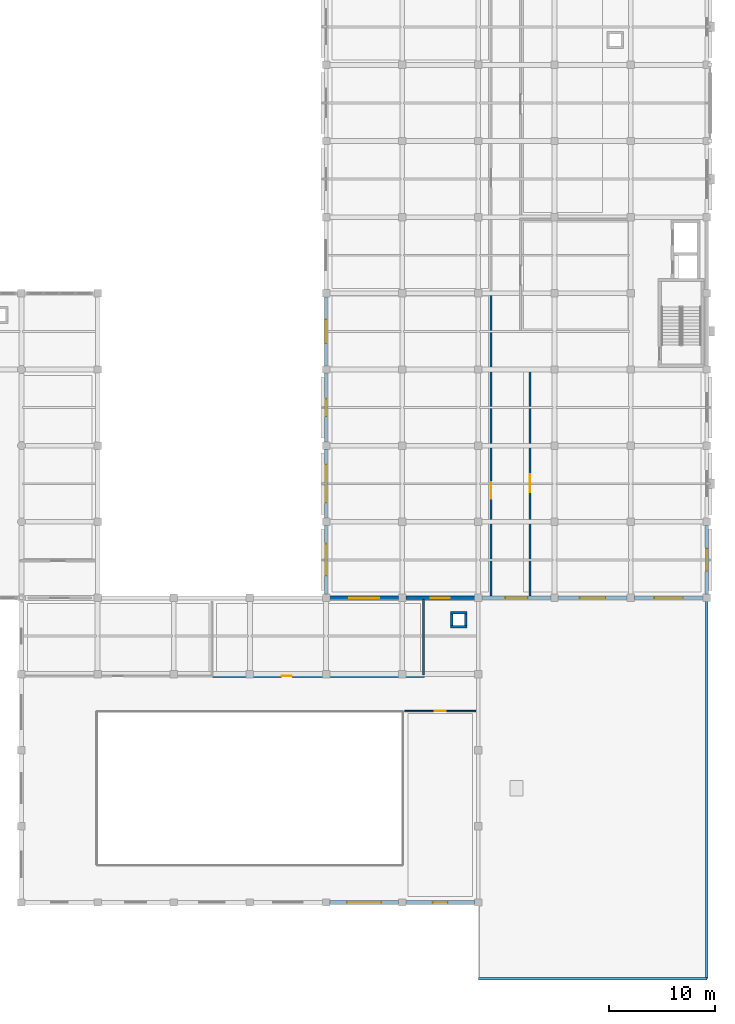
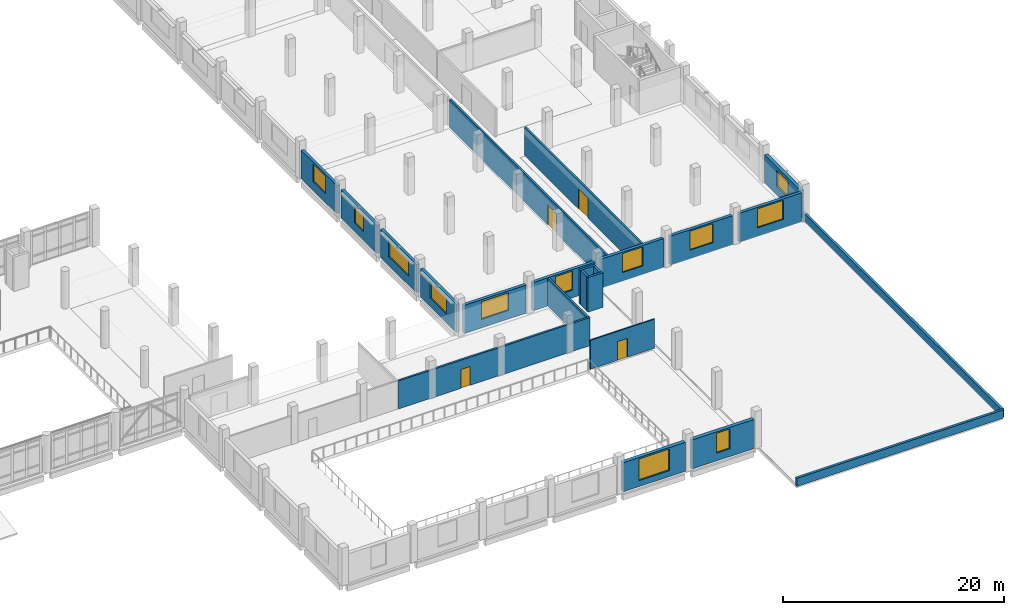
# One storey, part 39 of 57: 23 walls, 12 windows, 4 doors, 16 openings.
"""IFC4 building model written with IfcOpenShell, lengths in metres."""

from ifc_helpers import new_model, si_unit, direction, frame, frame_2d, origin, place, context, subcontext, project, spatial, rectangle, extrude, material, layer, layer_set, type_object, element, fill, save


model = new_model("IFC4")

# Units and contexts
model_context = context("Model", 3, precision=1e-05, world=origin(), true_north=direction((0.0, 1.0)))
body_context = subcontext(model_context, "Body", "Model", "MODEL_VIEW")
ifc_project = project(units=[si_unit("LENGTHUNIT", "METRE"), si_unit("AREAUNIT", "SQUARE_METRE"), si_unit("VOLUMEUNIT", "CUBIC_METRE"), si_unit("PLANEANGLEUNIT", "RADIAN"), si_unit("MASSUNIT", "GRAM", prefix="KILO")], contexts=[model_context])

# Site, building, storey
site_placement = place(None, origin())
site = spatial("IfcSite", under=ifc_project, at=site_placement, CompositionType="ELEMENT")
building_placement = place(site_placement, origin())
building = spatial("IfcBuilding", under=site, at=building_placement, Name="Valkovuoma Quantum and Materials Research Institute", CompositionType="ELEMENT")
storey_placement = place(building_placement, frame((0.0, 0.0, 4.800048828125)))
storey = spatial("IfcBuildingStorey", under=building, at=storey_placement, Name="L01", CompositionType="ELEMENT", Elevation=4.800048828125)

# Wall, opening, window
ifc_material_1 = material(Name="Precast concrete C40/50", Category="concrete")
ifc_layer_1 = layer(ifc_material_1, 0.300048828125)
ifc_layer_set_1 = layer_set([ifc_layer_1], Name="Precast concrete C40/50")
wall_type_1 = type_object("IfcWallType", Name="Wall-W-EXT300", PredefinedType="SOLIDWALL", material=ifc_layer_set_1)
wall_1_placement = place(storey_placement, frame((129.60009765625, 36.340087890625, 0.0), z_axis=(0.0, 0.0, 1.0), x_axis=(0.0, 1.0, 0.0)))
wall_1 = element("IfcWall", 1, at=wall_1_placement, inside=storey, type_object=wall_type_1, Name="L01 exterior wall 0221", PredefinedType="SOLIDWALL", context=body_context, shape_type="SweptSolid", body=[
    extrude(rectangle(XDim=6.52001953125, YDim=0.300048828125, at=frame_2d((3.260009765625, 0.0))), origin(), (0.0, 0.0, 1.0), 3.10986328125),
])
opening_1_placement = place(wall_1_placement, frame((1.760009765625, 0.0, 0.949951171875)))
opening_1 = element("IfcOpeningElement", 2, at=opening_1_placement, cuts=wall_1, Name="Opening WN-WL12", PredefinedType="OPENING", context=body_context, shape_type="SweptSolid", body=[
    extrude(rectangle(XDim=3.0, YDim=1.800048828125, at=frame_2d((1.5, 0.89990234375))), frame((0.0, 0.16015625, 0.0), z_axis=(0.0, -1.0, 0.0), x_axis=(1.0, 0.0, 0.0)), (0.0, 0.0, 1.0), 0.320068359375),
])
ifc_material_2 = material(Name="Triple low-E argon glazing in thermally broken aluminium frame", Category="aluminium")
window_type_1 = type_object("IfcWindowType", Name="Win-WN-WL12", PartitioningType="SINGLE_PANEL", PredefinedType="WINDOW", material=ifc_material_2)
window_1_placement = place(opening_1_placement, origin())
window_1 = element("IfcWindow", 3, at=window_1_placement, inside=storey, type_object=window_type_1, Name="L01 window 0242", OverallHeight=1.800048828125, OverallWidth=3.0, PartitioningType="SINGLE_PANEL", PredefinedType="WINDOW", context=body_context, shape_type="SweptSolid", body=[
    extrude(rectangle(XDim=3.0, YDim=1.800048828125, at=frame_2d((1.5, 0.89990234375))), frame((0.0, 0.030029296875, 0.0), z_axis=(0.0, -1.0, 0.0), x_axis=(1.0, 0.0, 0.0)), (0.0, 0.0, 1.0), 0.06005859375),
])
fill(opening_1, window_1)

wall_2_placement = place(storey_placement, frame((129.60009765625, 43.5400390625, 0.0), z_axis=(0.0, 0.0, 1.0), x_axis=(0.0, 1.0, 0.0)))
wall_2 = element("IfcWall", 4, at=wall_2_placement, inside=storey, type_object=wall_type_1, Name="L01 exterior wall 0222", PredefinedType="SOLIDWALL", context=body_context, shape_type="SweptSolid", body=[
    extrude(rectangle(XDim=6.52001953125, YDim=0.300048828125, at=frame_2d((3.260009765625, 0.0))), origin(), (0.0, 0.0, 1.0), 3.10986328125),
])
opening_2_placement = place(wall_2_placement, frame((1.4599609375, 0.0, 0.949951171875)))
opening_2 = element("IfcOpeningElement", 5, at=opening_2_placement, cuts=wall_2, Name="Opening WN-WL14", PredefinedType="OPENING", context=body_context, shape_type="SweptSolid", body=[
    extrude(rectangle(XDim=3.60009765625, YDim=1.800048828125, at=frame_2d((1.800048828125, 0.89990234375))), frame((0.0, 0.16015625, 0.0), z_axis=(0.0, -1.0, 0.0), x_axis=(1.0, 0.0, 0.0)), (0.0, 0.0, 1.0), 0.320068359375),
])
ifc_material_3 = material(Name="Triple low-E argon glazing in thermally broken aluminium frame", Category="aluminium")
window_type_2 = type_object("IfcWindowType", Name="Win-WN-WL14", PartitioningType="SINGLE_PANEL", PredefinedType="WINDOW", material=ifc_material_3)
window_2_placement = place(opening_2_placement, origin())
window_2 = element("IfcWindow", 6, at=window_2_placement, inside=storey, type_object=window_type_2, Name="L01 window 0243", OverallHeight=1.800048828125, OverallWidth=3.60009765625, PartitioningType="SINGLE_PANEL", PredefinedType="WINDOW", context=body_context, shape_type="SweptSolid", body=[
    extrude(rectangle(XDim=3.60009765625, YDim=1.800048828125, at=frame_2d((1.800048828125, 0.89990234375))), frame((0.0, 0.030029296875, 0.0), z_axis=(0.0, -1.0, 0.0), x_axis=(1.0, 0.0, 0.0)), (0.0, 0.0, 1.0), 0.06005859375),
])
fill(opening_2, window_2)

wall_3_placement = place(storey_placement, frame((129.60009765625, 50.739990234375, 0.0), z_axis=(0.0, 0.0, 1.0), x_axis=(0.0, 1.0, 0.0)))
wall_3 = element("IfcWall", 7, at=wall_3_placement, inside=storey, type_object=wall_type_1, Name="L01 exterior wall 0223", PredefinedType="SOLIDWALL", context=body_context, shape_type="SweptSolid", body=[
    extrude(rectangle(XDim=6.52001953125, YDim=0.300048828125, at=frame_2d((3.260009765625, 0.0))), origin(), (0.0, 0.0, 1.0), 3.10986328125),
])
opening_3_placement = place(wall_3_placement, frame((2.43505859375, 0.0, 0.949951171875)))
opening_3 = element("IfcOpeningElement", 8, at=opening_3_placement, cuts=wall_3, Name="Opening WN-WL16", PredefinedType="OPENING", context=body_context, shape_type="SweptSolid", body=[
    extrude(rectangle(XDim=1.64990234375, YDim=1.949951171875, at=frame_2d((0.824951171875, 0.97509765625))), frame((0.0, 0.16015625, 0.0), z_axis=(0.0, -1.0, 0.0), x_axis=(1.0, 0.0, 0.0)), (0.0, 0.0, 1.0), 0.320068359375),
])
ifc_material_4 = material(Name="Triple low-E argon glazing in thermally broken aluminium frame", Category="aluminium")
window_type_3 = type_object("IfcWindowType", Name="Win-WN-WL16", PartitioningType="SINGLE_PANEL", PredefinedType="WINDOW", material=ifc_material_4)
window_3_placement = place(opening_3_placement, origin())
window_3 = element("IfcWindow", 9, at=window_3_placement, inside=storey, type_object=window_type_3, Name="L01 window 0244", OverallHeight=1.949951171875, OverallWidth=1.64990234375, PartitioningType="SINGLE_PANEL", PredefinedType="WINDOW", context=body_context, shape_type="SweptSolid", body=[
    extrude(rectangle(XDim=1.64990234375, YDim=1.949951171875, at=frame_2d((0.824951171875, 0.97509765625))), frame((0.0, 0.030029296875, 0.0), z_axis=(0.0, -1.0, 0.0), x_axis=(1.0, 0.0, 0.0)), (0.0, 0.0, 1.0), 0.06005859375),
])
fill(opening_3, window_3)

wall_4_placement = place(storey_placement, frame((129.60009765625, 57.93994140625, 0.0), z_axis=(0.0, 0.0, 1.0), x_axis=(0.0, 1.0, 0.0)))
wall_4 = element("IfcWall", 10, at=wall_4_placement, inside=storey, type_object=wall_type_1, Name="L01 exterior wall 0224", PredefinedType="SOLIDWALL", context=body_context, shape_type="SweptSolid", body=[
    extrude(rectangle(XDim=6.52001953125, YDim=0.300048828125, at=frame_2d((3.260009765625, 0.0))), origin(), (0.0, 0.0, 1.0), 3.10986328125),
])
opening_4_placement = place(wall_4_placement, frame((2.135009765625, 0.0, 0.949951171875)))
opening_4 = element("IfcOpeningElement", 11, at=opening_4_placement, cuts=wall_4, Name="Opening WN-WL18", PredefinedType="OPENING", context=body_context, shape_type="SweptSolid", body=[
    extrude(rectangle(XDim=2.25, YDim=1.949951171875, at=frame_2d((1.125, 0.97509765625))), frame((0.0, 0.16015625, 0.0), z_axis=(0.0, -1.0, 0.0), x_axis=(1.0, 0.0, 0.0)), (0.0, 0.0, 1.0), 0.320068359375),
])
ifc_material_5 = material(Name="Triple low-E argon glazing in thermally broken aluminium frame", Category="aluminium")
window_type_4 = type_object("IfcWindowType", Name="Win-WN-WL18", PartitioningType="SINGLE_PANEL", PredefinedType="WINDOW", material=ifc_material_5)
window_4_placement = place(opening_4_placement, origin())
window_4 = element("IfcWindow", 12, at=window_4_placement, inside=storey, type_object=window_type_4, Name="L01 window 0245", OverallHeight=1.949951171875, OverallWidth=2.25, PartitioningType="SINGLE_PANEL", PredefinedType="WINDOW", context=body_context, shape_type="SweptSolid", body=[
    extrude(rectangle(XDim=2.25, YDim=1.949951171875, at=frame_2d((1.125, 0.97509765625))), frame((0.0, 0.030029296875, 0.0), z_axis=(0.0, -1.0, 0.0), x_axis=(1.0, 0.0, 0.0)), (0.0, 0.0, 1.0), 0.06005859375),
])
fill(opening_4, window_4)

ifc_material_6 = material(Name="Precast concrete C40/50", Category="concrete")
ifc_layer_2 = layer(ifc_material_6, 0.320068359375)
ifc_layer_set_2 = layer_set([ifc_layer_2], Name="Precast concrete C40/50")
wall_type_2 = type_object("IfcWallType", Name="Wall-W-EXT320", PredefinedType="SOLIDWALL", material=ifc_layer_set_2)
wall_5_placement = place(storey_placement, frame((129.93994140625, 36.0, 0.0), z_axis=(0.0, 0.0, 1.0), x_axis=(1.0, 0.0, 0.0)))
wall_5 = element("IfcWall", 13, at=wall_5_placement, inside=storey, type_object=wall_type_2, Name="L01 exterior wall 0232", PredefinedType="SOLIDWALL", context=body_context, shape_type="SweptSolid", body=[
    extrude(rectangle(XDim=6.52001953125, YDim=0.320068359375, at=frame_2d((3.260009765625, 0.0))), origin(), (0.0, 0.0, 1.0), 3.10986328125),
])
opening_5_placement = place(wall_5_placement, frame((1.8349609375, 0.0, 0.949951171875)))
opening_5 = element("IfcOpeningElement", 14, at=opening_5_placement, cuts=wall_5, Name="Opening WN-WL20", PredefinedType="OPENING", context=body_context, shape_type="SweptSolid", body=[
    extrude(rectangle(XDim=2.85009765625, YDim=1.949951171875, at=frame_2d((1.425048828125, 0.97509765625))), frame((0.0, 0.169921875, 0.0), z_axis=(0.0, -1.0, 0.0), x_axis=(1.0, 0.0, 0.0)), (0.0, 0.0, 1.0), 0.340087890625),
])
ifc_material_7 = material(Name="Triple low-E argon glazing in thermally broken aluminium frame", Category="aluminium")
window_type_5 = type_object("IfcWindowType", Name="Win-WN-WL20", PartitioningType="SINGLE_PANEL", PredefinedType="WINDOW", material=ifc_material_7)
window_5_placement = place(opening_5_placement, origin())
window_5 = element("IfcWindow", 15, at=window_5_placement, inside=storey, type_object=window_type_5, Name="L01 window 0253", OverallHeight=1.949951171875, OverallWidth=2.85009765625, PartitioningType="SINGLE_PANEL", PredefinedType="WINDOW", context=body_context, shape_type="SweptSolid", body=[
    extrude(rectangle(XDim=2.85009765625, YDim=1.949951171875, at=frame_2d((1.425048828125, 0.97509765625))), frame((0.0, 0.030029296875, 0.0), z_axis=(0.0, -1.0, 0.0), x_axis=(1.0, 0.0, 0.0)), (0.0, 0.0, 1.0), 0.06005859375),
])
fill(opening_5, window_5)

wall_6_placement = place(storey_placement, frame((137.139892578125, 36.0, 0.0), z_axis=(0.0, 0.0, 1.0), x_axis=(1.0, 0.0, 0.0)))
wall_6 = element("IfcWall", 16, at=wall_6_placement, inside=storey, type_object=wall_type_2, Name="L01 exterior wall 0233", PredefinedType="SOLIDWALL", context=body_context, shape_type="SweptSolid", body=[
    extrude(rectangle(XDim=6.52001953125, YDim=0.320068359375, at=frame_2d((3.260009765625, 0.0))), origin(), (0.0, 0.0, 1.0), 3.10986328125),
])
opening_6_placement = place(wall_6_placement, frame((2.360107421875, 0.0, 0.85009765625)))
opening_6 = element("IfcOpeningElement", 17, at=opening_6_placement, cuts=wall_6, Name="Opening WN-WL01", PredefinedType="OPENING", context=body_context, shape_type="SweptSolid", body=[
    extrude(rectangle(XDim=1.800048828125, YDim=2.10009765625, at=frame_2d((0.89990234375, 1.050048828125))), frame((0.0, 0.169921875, 0.0), z_axis=(0.0, -1.0, 0.0), x_axis=(1.0, 0.0, 0.0)), (0.0, 0.0, 1.0), 0.340087890625),
])
ifc_material_8 = material(Name="Triple low-E argon glazing in thermally broken aluminium frame", Category="aluminium")
window_type_6 = type_object("IfcWindowType", Name="Win-WN-WL01", PartitioningType="SINGLE_PANEL", PredefinedType="WINDOW", material=ifc_material_8)
window_6_placement = place(opening_6_placement, origin())
window_6 = element("IfcWindow", 18, at=window_6_placement, inside=storey, type_object=window_type_6, Name="L01 window 0254", OverallHeight=2.10009765625, OverallWidth=1.800048828125, PartitioningType="SINGLE_PANEL", PredefinedType="WINDOW", context=body_context, shape_type="SweptSolid", body=[
    extrude(rectangle(XDim=1.800048828125, YDim=2.10009765625, at=frame_2d((0.89990234375, 1.050048828125))), frame((0.0, 0.030029296875, 0.0), z_axis=(0.0, -1.0, 0.0), x_axis=(1.0, 0.0, 0.0)), (0.0, 0.0, 1.0), 0.06005859375),
])
fill(opening_6, window_6)

wall_7_placement = place(storey_placement, frame((144.340087890625, 36.0, 0.0), z_axis=(0.0, 0.0, 1.0), x_axis=(1.0, 0.0, 0.0)))
wall_7 = element("IfcWall", 19, at=wall_7_placement, inside=storey, type_object=wall_type_2, Name="L01 exterior wall 0234", PredefinedType="SOLIDWALL", context=body_context, shape_type="SweptSolid", body=[
    extrude(rectangle(XDim=6.52001953125, YDim=0.320068359375, at=frame_2d((3.260009765625, 0.0))), origin(), (0.0, 0.0, 1.0), 3.2099609375),
])
opening_7_placement = place(wall_7_placement, frame((2.2099609375, 0.0, 0.949951171875)))
opening_7 = element("IfcOpeningElement", 20, at=opening_7_placement, cuts=wall_7, Name="Opening WN-WL02", PredefinedType="OPENING", context=body_context, shape_type="SweptSolid", body=[
    extrude(rectangle(XDim=2.10009765625, YDim=2.10009765625, at=frame_2d((1.050048828125, 1.050048828125))), frame((0.0, 0.169921875, 0.0), z_axis=(0.0, -1.0, 0.0), x_axis=(1.0, 0.0, 0.0)), (0.0, 0.0, 1.0), 0.340087890625),
])
ifc_material_9 = material(Name="Triple low-E argon glazing in thermally broken aluminium frame", Category="aluminium")
window_type_7 = type_object("IfcWindowType", Name="Win-WN-WL02", PartitioningType="SINGLE_PANEL", PredefinedType="WINDOW", material=ifc_material_9)
window_7_placement = place(opening_7_placement, origin())
window_7 = element("IfcWindow", 21, at=window_7_placement, inside=storey, type_object=window_type_7, Name="L01 window 0255", OverallHeight=2.10009765625, OverallWidth=2.10009765625, PartitioningType="SINGLE_PANEL", PredefinedType="WINDOW", context=body_context, shape_type="SweptSolid", body=[
    extrude(rectangle(XDim=2.10009765625, YDim=2.10009765625, at=frame_2d((1.050048828125, 1.050048828125))), frame((0.0, 0.030029296875, 0.0), z_axis=(0.0, -1.0, 0.0), x_axis=(1.0, 0.0, 0.0)), (0.0, 0.0, 1.0), 0.06005859375),
])
fill(opening_7, window_7)

wall_8_placement = place(storey_placement, frame((151.5400390625, 36.0, 0.0), z_axis=(0.0, 0.0, 1.0), x_axis=(1.0, 0.0, 0.0)))
wall_8 = element("IfcWall", 22, at=wall_8_placement, inside=storey, type_object=wall_type_2, Name="L01 exterior wall 0235", PredefinedType="SOLIDWALL", context=body_context, shape_type="SweptSolid", body=[
    extrude(rectangle(XDim=6.52001953125, YDim=0.320068359375, at=frame_2d((3.260009765625, 0.0))), origin(), (0.0, 0.0, 1.0), 3.2099609375),
])
opening_8_placement = place(wall_8_placement, frame((2.06005859375, 0.0, 0.949951171875)))
opening_8 = element("IfcOpeningElement", 23, at=opening_8_placement, cuts=wall_8, Name="Opening WN-WL03", PredefinedType="OPENING", context=body_context, shape_type="SweptSolid", body=[
    extrude(rectangle(XDim=2.39990234375, YDim=2.10009765625, at=frame_2d((1.199951171875, 1.050048828125))), frame((0.0, 0.169921875, 0.0), z_axis=(0.0, -1.0, 0.0), x_axis=(1.0, 0.0, 0.0)), (0.0, 0.0, 1.0), 0.340087890625),
])
ifc_material_10 = material(Name="Triple low-E argon glazing in thermally broken aluminium frame", Category="aluminium")
window_type_8 = type_object("IfcWindowType", Name="Win-WN-WL03", PartitioningType="SINGLE_PANEL", PredefinedType="WINDOW", material=ifc_material_10)
window_8_placement = place(opening_8_placement, origin())
window_8 = element("IfcWindow", 24, at=window_8_placement, inside=storey, type_object=window_type_8, Name="L01 window 0256", OverallHeight=2.10009765625, OverallWidth=2.39990234375, PartitioningType="SINGLE_PANEL", PredefinedType="WINDOW", context=body_context, shape_type="SweptSolid", body=[
    extrude(rectangle(XDim=2.39990234375, YDim=2.10009765625, at=frame_2d((1.199951171875, 1.050048828125))), frame((0.0, 0.030029296875, 0.0), z_axis=(0.0, -1.0, 0.0), x_axis=(1.0, 0.0, 0.0)), (0.0, 0.0, 1.0), 0.06005859375),
])
fill(opening_8, window_8)

wall_9_placement = place(storey_placement, frame((158.739990234375, 36.0, 0.0), z_axis=(0.0, 0.0, 1.0), x_axis=(1.0, 0.0, 0.0)))
wall_9 = element("IfcWall", 25, at=wall_9_placement, inside=storey, type_object=wall_type_2, Name="L01 exterior wall 0236", PredefinedType="SOLIDWALL", context=body_context, shape_type="SweptSolid", body=[
    extrude(rectangle(XDim=6.52001953125, YDim=0.320068359375, at=frame_2d((3.260009765625, 0.0))), origin(), (0.0, 0.0, 1.0), 3.2099609375),
])
opening_9_placement = place(wall_9_placement, frame((1.909912109375, 0.0, 0.949951171875)))
opening_9 = element("IfcOpeningElement", 26, at=opening_9_placement, cuts=wall_9, Name="Opening WN-WL04", PredefinedType="OPENING", context=body_context, shape_type="SweptSolid", body=[
    extrude(rectangle(XDim=2.699951171875, YDim=2.10009765625, at=frame_2d((1.35009765625, 1.050048828125))), frame((0.0, 0.169921875, 0.0), z_axis=(0.0, -1.0, 0.0), x_axis=(1.0, 0.0, 0.0)), (0.0, 0.0, 1.0), 0.340087890625),
])
ifc_material_11 = material(Name="Triple low-E argon glazing in thermally broken aluminium frame", Category="aluminium")
window_type_9 = type_object("IfcWindowType", Name="Win-WN-WL04", PartitioningType="SINGLE_PANEL", PredefinedType="WINDOW", material=ifc_material_11)
window_9_placement = place(opening_9_placement, origin())
window_9 = element("IfcWindow", 27, at=window_9_placement, inside=storey, type_object=window_type_9, Name="L01 window 0257", OverallHeight=2.10009765625, OverallWidth=2.699951171875, PartitioningType="SINGLE_PANEL", PredefinedType="WINDOW", context=body_context, shape_type="SweptSolid", body=[
    extrude(rectangle(XDim=2.699951171875, YDim=2.10009765625, at=frame_2d((1.35009765625, 1.050048828125))), frame((0.0, 0.030029296875, 0.0), z_axis=(0.0, -1.0, 0.0), x_axis=(1.0, 0.0, 0.0)), (0.0, 0.0, 1.0), 0.06005859375),
])
fill(opening_9, window_9)

ifc_material_12 = material(Name="Precast concrete C40/50", Category="concrete")
ifc_layer_3 = layer(ifc_material_12, 0.360107421875)
ifc_layer_set_3 = layer_set([ifc_layer_3], Name="Precast concrete C40/50")
wall_type_3 = type_object("IfcWallType", Name="Wall-W-EXT360", PredefinedType="SOLIDWALL", material=ifc_layer_set_3)
wall_10_placement = place(storey_placement, frame((165.60009765625, 36.340087890625, 0.0), z_axis=(0.0, 0.0, 1.0), x_axis=(0.0, 1.0, 0.0)))
wall_10 = element("IfcWall", 28, at=wall_10_placement, inside=storey, type_object=wall_type_3, Name="L01 exterior wall 0205", PredefinedType="SOLIDWALL", context=body_context, shape_type="SweptSolid", body=[
    extrude(rectangle(XDim=6.52001953125, YDim=0.360107421875, at=frame_2d((3.260009765625, 0.0))), origin(), (0.0, 0.0, 1.0), 3.10986328125),
])
opening_10_placement = place(wall_10_placement, frame((2.2099609375, 0.0, 0.949951171875)))
opening_10 = element("IfcOpeningElement", 29, at=opening_10_placement, cuts=wall_10, Name="Opening WN-WL09", PredefinedType="OPENING", context=body_context, shape_type="SweptSolid", body=[
    extrude(rectangle(XDim=2.10009765625, YDim=1.800048828125, at=frame_2d((1.050048828125, 0.89990234375))), frame((0.0, 0.18994140625, 0.0), z_axis=(0.0, -1.0, 0.0), x_axis=(1.0, 0.0, 0.0)), (0.0, 0.0, 1.0), 0.380126953125),
])
ifc_material_13 = material(Name="Triple low-E argon glazing in thermally broken aluminium frame", Category="aluminium")
window_type_10 = type_object("IfcWindowType", Name="Win-WN-WL09", PartitioningType="SINGLE_PANEL", PredefinedType="WINDOW", material=ifc_material_13)
window_10_placement = place(opening_10_placement, origin())
window_10 = element("IfcWindow", 30, at=window_10_placement, inside=storey, type_object=window_type_10, Name="L01 window 0231", OverallHeight=1.800048828125, OverallWidth=2.10009765625, PartitioningType="SINGLE_PANEL", PredefinedType="WINDOW", context=body_context, shape_type="SweptSolid", body=[
    extrude(rectangle(XDim=2.10009765625, YDim=1.800048828125, at=frame_2d((1.050048828125, 0.89990234375))), frame((0.0, 0.030029296875, 0.0), z_axis=(0.0, -1.0, 0.0), x_axis=(1.0, 0.0, 0.0)), (0.0, 0.0, 1.0), 0.06005859375),
])
fill(opening_10, window_10)

ifc_material_14 = material(Name="Precast concrete C40/50", Category="concrete")
ifc_layer_4 = layer(ifc_material_14, 0.3798828125)
ifc_layer_set_4 = layer_set([ifc_layer_4], Name="Precast concrete C40/50")
wall_type_4 = type_object("IfcWallType", Name="Wall-W-EXT380", PredefinedType="SOLIDWALL", material=ifc_layer_set_4)
wall_11_placement = place(storey_placement, frame((129.93994140625, 7.199951171875, 0.0), z_axis=(0.0, 0.0, 1.0), x_axis=(1.0, 0.0, 0.0)))
wall_11 = element("IfcWall", 31, at=wall_11_placement, inside=storey, type_object=wall_type_4, Name="L01 exterior wall 0096", PredefinedType="SOLIDWALL", context=body_context, shape_type="SweptSolid", body=[
    extrude(rectangle(XDim=6.52001953125, YDim=0.3798828125, at=frame_2d((3.260009765625, 0.0))), origin(), (0.0, 0.0, 1.0), 3.2099609375),
])
opening_11_placement = place(wall_11_placement, frame((1.659912109375, 0.0, 0.64990234375)))
opening_11 = element("IfcOpeningElement", 32, at=opening_11_placement, cuts=wall_11, Name="Opening WN-LF05", PredefinedType="OPENING", context=body_context, shape_type="SweptSolid", body=[
    extrude(rectangle(XDim=3.199951171875, YDim=2.39990234375, at=frame_2d((1.60009765625, 1.199951171875))), frame((0.0, 0.199951171875, 0.0), z_axis=(0.0, -1.0, 0.0), x_axis=(1.0, 0.0, 0.0)), (0.0, 0.0, 1.0), 0.39990234375),
])
ifc_material_15 = material(Name="Triple low-E argon glazing in thermally broken aluminium frame", Category="aluminium")
window_type_11 = type_object("IfcWindowType", Name="Win-WN-LF05", PartitioningType="SINGLE_PANEL", PredefinedType="WINDOW", material=ifc_material_15)
window_11_placement = place(opening_11_placement, origin())
window_11 = element("IfcWindow", 33, at=window_11_placement, inside=storey, type_object=window_type_11, Name="L01 window 0085", OverallHeight=2.39990234375, OverallWidth=3.199951171875, PartitioningType="SINGLE_PANEL", PredefinedType="WINDOW", context=body_context, shape_type="SweptSolid", body=[
    extrude(rectangle(XDim=3.199951171875, YDim=2.39990234375, at=frame_2d((1.60009765625, 1.199951171875))), frame((0.0, 0.030029296875, 0.0), z_axis=(0.0, -1.0, 0.0), x_axis=(1.0, 0.0, 0.0)), (0.0, 0.0, 1.0), 0.06005859375),
])
fill(opening_11, window_11)

wall_12_placement = place(storey_placement, frame((137.139892578125, 7.199951171875, 0.0), z_axis=(0.0, 0.0, 1.0), x_axis=(1.0, 0.0, 0.0)))
wall_12 = element("IfcWall", 34, at=wall_12_placement, inside=storey, type_object=wall_type_4, Name="L01 exterior wall 0097", PredefinedType="SOLIDWALL", context=body_context, shape_type="SweptSolid", body=[
    extrude(rectangle(XDim=6.52001953125, YDim=0.3798828125, at=frame_2d((3.260009765625, 0.0))), origin(), (0.0, 0.0, 1.0), 3.2099609375),
])
opening_12_placement = place(wall_12_placement, frame((2.56005859375, 0.0, 0.85009765625)))
opening_12 = element("IfcOpeningElement", 35, at=opening_12_placement, cuts=wall_12, Name="Opening WN-LF06", PredefinedType="OPENING", context=body_context, shape_type="SweptSolid", body=[
    extrude(rectangle(XDim=1.39990234375, YDim=2.199951171875, at=frame_2d((0.699951171875, 1.10009765625))), frame((0.0, 0.199951171875, 0.0), z_axis=(0.0, -1.0, 0.0), x_axis=(1.0, 0.0, 0.0)), (0.0, 0.0, 1.0), 0.39990234375),
])
ifc_material_16 = material(Name="Triple low-E argon glazing in thermally broken aluminium frame", Category="aluminium")
window_type_12 = type_object("IfcWindowType", Name="Win-WN-LF06", PartitioningType="SINGLE_PANEL", PredefinedType="WINDOW", material=ifc_material_16)
window_12_placement = place(opening_12_placement, origin())
window_12 = element("IfcWindow", 36, at=window_12_placement, inside=storey, type_object=window_type_12, Name="L01 window 0086", OverallHeight=2.199951171875, OverallWidth=1.39990234375, PartitioningType="SINGLE_PANEL", PredefinedType="WINDOW", context=body_context, shape_type="SweptSolid", body=[
    extrude(rectangle(XDim=1.39990234375, YDim=2.199951171875, at=frame_2d((0.699951171875, 1.10009765625))), frame((0.0, 0.030029296875, 0.0), z_axis=(0.0, -1.0, 0.0), x_axis=(1.0, 0.0, 0.0)), (0.0, 0.0, 1.0), 0.06005859375),
])
fill(opening_12, window_12)

# Walls
ifc_material_17 = material(Name="Precast concrete C40/50", Category="concrete")
ifc_layer_5 = layer(ifc_material_17, 0.25)
ifc_layer_set_5 = layer_set([ifc_layer_5], Name="Precast concrete C40/50")
wall_type_5 = type_object("IfcWallType", Name="Wall-W-PAR250", PredefinedType="PARAPET", material=ifc_layer_set_5)
wall_13_placement = place(storey_placement, frame((144.0, 0.0, 0.0), z_axis=(0.0, 0.0, 1.0), x_axis=(1.0, 0.0, 0.0)))
element("IfcWall", 37, at=wall_13_placement, inside=storey, type_object=wall_type_5, Name="L01 exterior wall 0434", PredefinedType="PARAPET", context=body_context, shape_type="SweptSolid", body=[
    extrude(rectangle(XDim=21.60009765625, YDim=0.25, at=frame_2d((10.800048828125, 0.0))), origin(), (0.0, 0.0, 1.0), 0.89990234375),
])
wall_14_placement = place(storey_placement, frame((165.60009765625, 0.0, 0.0), z_axis=(0.0, 0.0, 1.0), x_axis=(0.0, 1.0, 0.0)))
element("IfcWall", 38, at=wall_14_placement, inside=storey, type_object=wall_type_5, Name="L01 exterior wall 0435", PredefinedType="PARAPET", context=body_context, shape_type="SweptSolid", body=[
    extrude(rectangle(XDim=36.0, YDim=0.25, at=frame_2d((18.0, 0.0))), origin(), (0.0, 0.0, 1.0), 0.89990234375),
])

# Wall, opening, door
ifc_material_18 = material(Name="Interior office stud partition", Category="masonry")
ifc_layer_6 = layer(ifc_material_18, 0.135009765625)
ifc_layer_set_6 = layer_set([ifc_layer_6], Name="Interior office stud partition")
wall_type_6 = type_object("IfcWallType", Name="Wall-W-PRT135", PredefinedType="PARTITIONING", material=ifc_layer_set_6)
wall_15_placement = place(storey_placement, frame((137.032470703125, 25.300048828125, 0.0), z_axis=(0.0, 0.0, 1.0), x_axis=(1.0, 0.0, 0.0)))
wall_15 = element("IfcWall", 39, at=wall_15_placement, inside=storey, type_object=wall_type_6, Name="L01 partition 0075", PredefinedType="PARTITIONING", context=body_context, shape_type="SweptSolid", body=[
    extrude(rectangle(XDim=6.735107421875, YDim=0.135009765625, at=frame_2d((3.36767578125, 0.0))), origin(), (0.0, 0.0, 1.0), 3.2099609375),
])
opening_13_placement = place(wall_15_placement, frame((2.8525390625, 0.0, 0.0)))
opening_13 = element("IfcOpeningElement", 40, at=opening_13_placement, cuts=wall_15, Name="Opening ID-0055", PredefinedType="OPENING", context=body_context, shape_type="SweptSolid", body=[
    extrude(rectangle(XDim=1.030029296875, YDim=2.080078125, at=frame_2d((0.51513671875, 1.0400390625))), frame((0.0, 0.07763671875, 0.0), z_axis=(0.0, -1.0, 0.0), x_axis=(1.0, 0.0, 0.0)), (0.0, 0.0, 1.0), 0.155029296875),
])
ifc_material_19 = material(Name="Powder-coated steel and acoustic timber door assembly", Category="steel")
door_type_1 = type_object("IfcDoorType", Name="Door-DR-RM03", OperationType="NOTDEFINED", PredefinedType="DOOR", material=ifc_material_19)
door_1_placement = place(opening_13_placement, origin())
door_1 = element("IfcDoor", 41, at=door_1_placement, inside=storey, type_object=door_type_1, Name="L01 room door 0055", OperationType="SINGLE_SWING_RIGHT", OverallHeight=2.080078125, OverallWidth=1.030029296875, PredefinedType="DOOR", context=body_context, shape_type="SweptSolid", body=[
    extrude(rectangle(XDim=1.030029296875, YDim=2.080078125, at=frame_2d((0.51513671875, 1.0400390625))), frame((0.0, 0.02490234375, 0.0), z_axis=(0.0, -1.0, 0.0), x_axis=(1.0, 0.0, 0.0)), (0.0, 0.0, 1.0), 0.050048828125),
])
fill(opening_13, door_1)

ifc_material_20 = material(Name="Laboratory fire-rated gypsum partition", Category="masonry")
ifc_layer_7 = layer(ifc_material_20, 0.179931640625)
ifc_layer_set_7 = layer_set([ifc_layer_7], Name="Laboratory fire-rated gypsum partition")
wall_type_7 = type_object("IfcWallType", Name="Wall-W-PRT180", PredefinedType="PARTITIONING", material=ifc_layer_set_7)
wall_16_placement = place(storey_placement, frame((145.199951171875, 36.159912109375, 0.0), z_axis=(0.0, 0.0, 1.0), x_axis=(0.0, 1.0, 0.0)))
wall_16 = element("IfcWall", 42, at=wall_16_placement, inside=storey, type_object=wall_type_7, Name="L01 partition 0091", PredefinedType="PARTITIONING", context=body_context, shape_type="SweptSolid", body=[
    extrude(rectangle(XDim=28.550048828125, YDim=0.179931640625, at=frame_2d((14.27490234375, 0.0))), origin(), (0.0, 0.0, 1.0), 3.10986328125),
])
opening_14_placement = place(wall_16_placement, frame((9.202392578125, 0.0, 0.0)))
opening_14 = element("IfcOpeningElement", 43, at=opening_14_placement, cuts=wall_16, Name="Opening ID-0066", PredefinedType="OPENING", context=body_context, shape_type="SweptSolid", body=[
    extrude(rectangle(XDim=1.580078125, YDim=2.219970703125, at=frame_2d((0.7900390625, 1.10986328125))), frame((0.0, 0.10009765625, 0.0), z_axis=(0.0, -1.0, 0.0), x_axis=(1.0, 0.0, 0.0)), (0.0, 0.0, 1.0), 0.199951171875),
])
ifc_material_21 = material(Name="Powder-coated steel and acoustic timber door assembly", Category="steel")
door_type_2 = type_object("IfcDoorType", Name="Door-DR-RM14", OperationType="NOTDEFINED", PredefinedType="DOOR", material=ifc_material_21)
door_2_placement = place(opening_14_placement, origin())
door_2 = element("IfcDoor", 44, at=door_2_placement, inside=storey, type_object=door_type_2, Name="L01 room door 0066", OperationType="DOUBLE_DOOR_SINGLE_SWING", OverallHeight=2.219970703125, OverallWidth=1.580078125, PredefinedType="DOOR", context=body_context, shape_type="SweptSolid", body=[
    extrude(rectangle(XDim=1.580078125, YDim=2.219970703125, at=frame_2d((0.7900390625, 1.10986328125))), frame((0.0, 0.02490234375, 0.0), z_axis=(0.0, -1.0, 0.0), x_axis=(1.0, 0.0, 0.0)), (0.0, 0.0, 1.0), 0.050048828125),
])
fill(opening_14, door_2)

ifc_material_22 = material(Name="Acoustic double-stud gypsum and mineral wool partition", Category="masonry")
ifc_layer_8 = layer(ifc_material_22, 0.199951171875)
ifc_layer_set_8 = layer_set([ifc_layer_8], Name="Acoustic double-stud gypsum and mineral wool partition")
wall_type_8 = type_object("IfcWallType", Name="Wall-W-PRT200", PredefinedType="PARTITIONING", material=ifc_layer_set_8)
wall_17_placement = place(storey_placement, frame((118.875, 28.60009765625, 0.0), z_axis=(0.0, 0.0, 1.0), x_axis=(1.0, 0.0, 0.0)))
wall_17 = element("IfcWall", 45, at=wall_17_placement, inside=storey, type_object=wall_type_8, Name="L01 partition 0073", PredefinedType="PARTITIONING", context=body_context, shape_type="SweptSolid", body=[
    extrude(rectangle(XDim=20.02490234375, YDim=0.199951171875, at=frame_2d((10.012451171875, 0.0))), origin(), (0.0, 0.0, 1.0), 3.10986328125),
])
opening_15_placement = place(wall_17_placement, frame((6.523681640625, 0.0, 0.0)))
opening_15 = element("IfcOpeningElement", 46, at=opening_15_placement, cuts=wall_17, Name="Opening ID-0054", PredefinedType="OPENING", context=body_context, shape_type="SweptSolid", body=[
    extrude(rectangle(XDim=0.969970703125, YDim=2.080078125, at=frame_2d((0.48486328125, 1.0400390625))), frame((0.0, 0.10986328125, 0.0), z_axis=(0.0, -1.0, 0.0), x_axis=(1.0, 0.0, 0.0)), (0.0, 0.0, 1.0), 0.219970703125),
])
ifc_material_23 = material(Name="Powder-coated steel and acoustic timber door assembly", Category="steel")
door_type_3 = type_object("IfcDoorType", Name="Door-DR-RM02", OperationType="NOTDEFINED", PredefinedType="DOOR", material=ifc_material_23)
door_3_placement = place(opening_15_placement, origin())
door_3 = element("IfcDoor", 47, at=door_3_placement, inside=storey, type_object=door_type_3, Name="L01 room door 0054", OperationType="SINGLE_SWING_LEFT", OverallHeight=2.080078125, OverallWidth=0.969970703125, PredefinedType="DOOR", context=body_context, shape_type="SweptSolid", body=[
    extrude(rectangle(XDim=0.969970703125, YDim=2.080078125, at=frame_2d((0.48486328125, 1.0400390625))), frame((0.0, 0.02490234375, 0.0), z_axis=(0.0, -1.0, 0.0), x_axis=(1.0, 0.0, 0.0)), (0.0, 0.0, 1.0), 0.050048828125),
])
fill(opening_15, door_3)

# Wall
wall_18_placement = place(storey_placement, frame((138.800048828125, 28.699951171875, 0.0), z_axis=(0.0, 0.0, 1.0), x_axis=(0.0, 1.0, 0.0)))
element("IfcWall", 48, at=wall_18_placement, inside=storey, type_object=wall_type_8, Name="L01 partition 0074", PredefinedType="PARTITIONING", context=body_context, shape_type="SweptSolid", body=[
    extrude(rectangle(XDim=7.14013671875, YDim=0.199951171875, at=frame_2d((3.570068359375, 0.0))), origin(), (0.0, 0.0, 1.0), 3.10986328125),
])

# Wall, opening, door
wall_19_placement = place(storey_placement, frame((148.8701171875, 36.159912109375, 0.0), z_axis=(0.0, 0.0, 1.0), x_axis=(0.0, 1.0, 0.0)))
wall_19 = element("IfcWall", 49, at=wall_19_placement, inside=storey, type_object=wall_type_8, Name="L01 partition 0094", PredefinedType="PARTITIONING", context=body_context, shape_type="SweptSolid", body=[
    extrude(rectangle(XDim=21.340087890625, YDim=0.199951171875, at=frame_2d((10.669921875, 0.0))), origin(), (0.0, 0.0, 1.0), 3.10986328125),
])
opening_16_placement = place(wall_19_placement, frame((9.81005859375, 0.0, 0.0)))
opening_16 = element("IfcOpeningElement", 50, at=opening_16_placement, cuts=wall_19, Name="Opening ID-0069", PredefinedType="OPENING", context=body_context, shape_type="SweptSolid", body=[
    extrude(rectangle(XDim=1.719970703125, YDim=2.260009765625, at=frame_2d((0.85986328125, 1.1298828125))), frame((0.0, 0.10986328125, 0.0), z_axis=(0.0, -1.0, 0.0), x_axis=(1.0, 0.0, 0.0)), (0.0, 0.0, 1.0), 0.219970703125),
])
ifc_material_24 = material(Name="Powder-coated steel and acoustic timber door assembly", Category="steel")
door_type_4 = type_object("IfcDoorType", Name="Door-DR-RM17", OperationType="NOTDEFINED", PredefinedType="DOOR", material=ifc_material_24)
door_4_placement = place(opening_16_placement, origin())
door_4 = element("IfcDoor", 51, at=door_4_placement, inside=storey, type_object=door_type_4, Name="L01 room door 0069", OperationType="DOUBLE_DOOR_SINGLE_SWING", OverallHeight=2.260009765625, OverallWidth=1.719970703125, PredefinedType="DOOR", context=body_context, shape_type="SweptSolid", body=[
    extrude(rectangle(XDim=1.719970703125, YDim=2.260009765625, at=frame_2d((0.85986328125, 1.1298828125))), frame((0.0, 0.02490234375, 0.0), z_axis=(0.0, -1.0, 0.0), x_axis=(1.0, 0.0, 0.0)), (0.0, 0.0, 1.0), 0.050048828125),
])
fill(opening_16, door_4)

# Walls
ifc_material_25 = material(Name="Concrete C40/50", Category="concrete")
ifc_layer_9 = layer(ifc_material_25, 0.239990234375)
ifc_layer_set_9 = layer_set([ifc_layer_9], Name="Concrete C40/50")
wall_type_9 = type_object("IfcWallType", Name="Wall-W-SHF240", PredefinedType="SOLIDWALL", material=ifc_layer_set_9)
for number, where, z_axis, x_axis, name in (
    (52, (141.360107421875, 33.280029296875, 0.0), (0.0, 0.0, 1.0), (1.0, 0.0, 0.0), "L01 core wall 0369"),
    (53, (141.360107421875, 34.6201171875, 0.0), (0.0, 0.0, 1.0), (1.0, 0.0, 0.0), "L01 core wall 0370"),
):
    element("IfcWall", number, at=place(storey_placement, frame(where, z_axis=z_axis, x_axis=x_axis)), inside=storey, type_object=wall_type_9, Name=name, PredefinedType="SOLIDWALL", context=body_context, shape_type="SweptSolid", body=[
        extrude(rectangle(XDim=1.579833984375, YDim=0.239990234375, at=frame_2d((0.7900390625, 0.0))), origin(), (0.0, 0.0, 1.0), 3.81005859375),
    ])
for number, where, z_axis, x_axis, name in (
    (54, (141.47998046875, 33.39990234375, 0.0), (0.0, 0.0, 1.0), (0.0, 1.0, 0.0), "L01 core wall 0371"),
    (55, (142.820068359375, 33.39990234375, 0.0), (0.0, 0.0, 1.0), (0.0, 1.0, 0.0), "L01 core wall 0372"),
):
    element("IfcWall", number, at=place(storey_placement, frame(where, z_axis=z_axis, x_axis=x_axis)), inside=storey, type_object=wall_type_9, Name=name, PredefinedType="SOLIDWALL", context=body_context, shape_type="SweptSolid", body=[
        extrude(rectangle(XDim=1.10009765625, YDim=0.239990234375, at=frame_2d((0.550048828125, 0.0))), origin(), (0.0, 0.0, 1.0), 3.81005859375),
    ])

save(model, "model.ifc")
